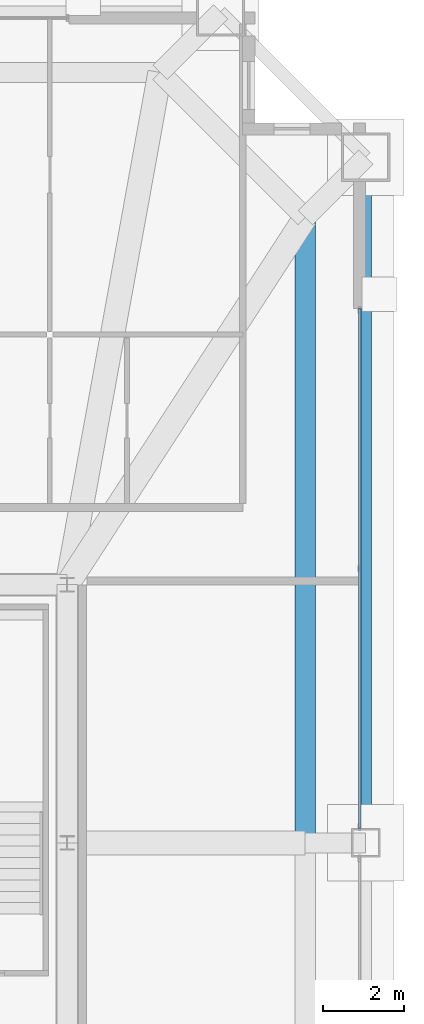
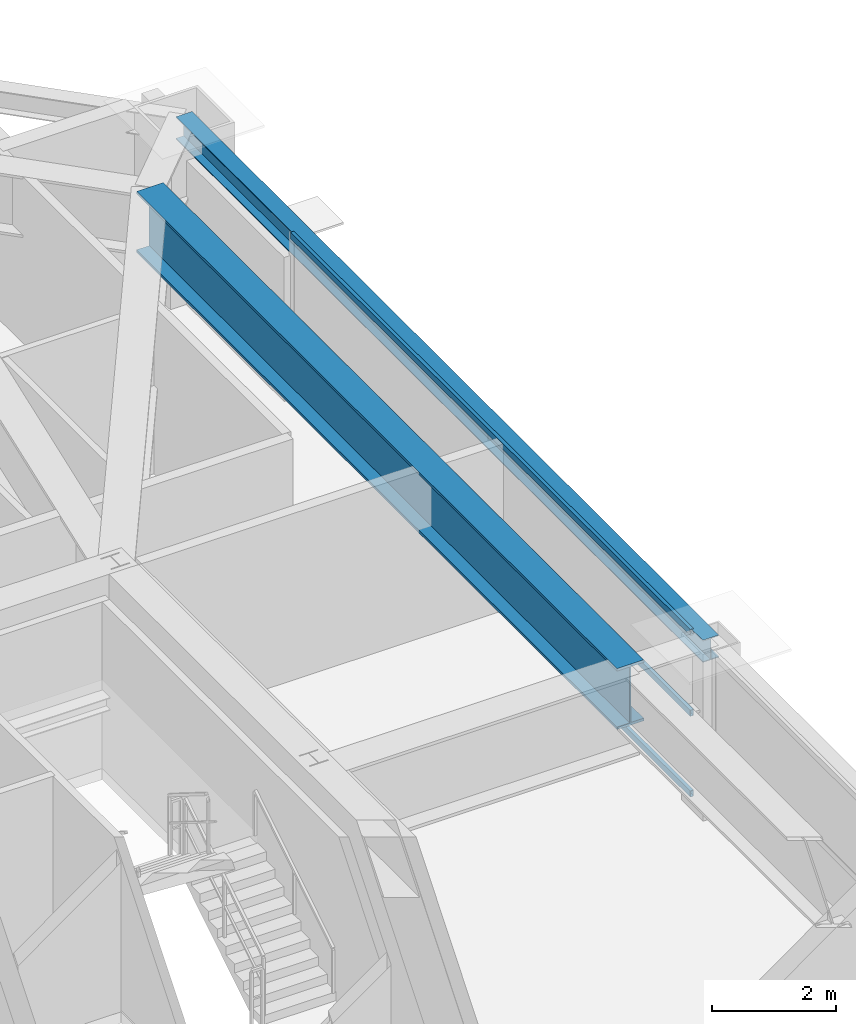
# One storey, part 19 of 33: 3 members, 2 beams, 1 element without a shape of its own.
"""IFC4 building model written with IfcOpenShell, lengths in metres."""

import ifcopenshell
import ifcopenshell.guid

model = None  # the IFC model being written
_history = None  # IfcOwnerHistory: only IFC2X3 demands one
_inside = {}  # id of a spatial element -> (the spatial element, [elements in it])
_under = {}  # id of a project, library or spatial element -> (it, [spatial elements below it])
_declared = {}  # id of a project -> (the project, [libraries it declares])
_typed = {}  # id of a type object -> (the type object, [elements of that type])
_made_of = {}  # id of a material, layer set ... -> (it, [elements and type objects made of it])


def new_model(schema):
    """Start an empty IFC model of exactly this schema.

    Asked for "IFC4X3", IfcOpenShell would pick the latest addendum, in which some entities
    have other attributes; the version numbers below select the first issue.
    IFC2X3 requires an IfcOwnerHistory on every rooted entity: one is made here for all.
    """
    global model, _history
    if schema == "IFC4X3":
        model = ifcopenshell.file(schema_version=(4, 3, 0, 0))
    else:
        model = ifcopenshell.file(schema=schema)
    _inside.clear()
    _under.clear()
    _declared.clear()
    _typed.clear()
    _made_of.clear()
    _history = None
    if model.schema == "IFC2X3":
        org = make("IfcOrganization", Name="unknown")
        user = make(
            "IfcPersonAndOrganization",
            ThePerson=make("IfcPerson", FamilyName="unknown"),
            TheOrganization=org,
        )
        app = make(
            "IfcApplication",
            ApplicationDeveloper=org,
            Version="unknown",
            ApplicationFullName="unknown",
            ApplicationIdentifier="unknown",
        )
        _history = make(
            "IfcOwnerHistory",
            OwningUser=user,
            OwningApplication=app,
            ChangeAction="ADDED",
            CreationDate=0,
        )
    return model


def make(cls, **values):
    """One entity of the class cls with the attributes given. An attribute that is None is left unset."""
    return model.create_entity(
        cls, **{name: value for name, value in values.items() if value is not None}
    )


def rooted(cls, **values):
    """An entity with a GlobalId (a new one), such as an element, a storey or a relation."""
    return make(cls, GlobalId=ifcopenshell.guid.new(), OwnerHistory=_history, **values)


def si_unit(unit_type, name, prefix=None):
    """IfcSIUnit, for example si_unit("LENGTHUNIT", "METRE", prefix="MILLI")."""
    return make("IfcSIUnit", UnitType=unit_type, Prefix=prefix, Name=name)


def assignment(units):
    """IfcUnitAssignment: the units of a project."""
    return None if units is None else make("IfcUnitAssignment", Units=units)


def point(xyz):
    """IfcCartesianPoint."""
    return None if xyz is None else make("IfcCartesianPoint", Coordinates=xyz)


def direction(xyz):
    """IfcDirection."""
    return None if xyz is None else make("IfcDirection", DirectionRatios=xyz)


def frame(location, z_axis=None, x_axis=None):
    """IfcAxis2Placement3D, a coordinate frame: its origin and axes. An axis left out is left unset."""
    return make(
        "IfcAxis2Placement3D",
        Location=point(location),
        Axis=direction(z_axis),
        RefDirection=direction(x_axis),
    )


def frame_2d(location, x_axis=None):
    """IfcAxis2Placement2D, a coordinate frame in the plane: its origin and x axis."""
    return make(
        "IfcAxis2Placement2D", Location=point(location), RefDirection=direction(x_axis)
    )


def origin():
    """The frame at (0, 0, 0) with its axes left unset."""
    return frame((0.0, 0.0, 0.0))


def origin_2d():
    """The frame at (0, 0) in the plane with its x axis left unset."""
    return frame_2d((0.0, 0.0))


def place(relative_to, where):
    """IfcLocalPlacement: puts the frame where relative to a parent placement (None: the world)."""
    return make(
        "IfcLocalPlacement", PlacementRelTo=relative_to, RelativePlacement=where
    )


def context(
    kind, dimensions, precision=None, world=None, true_north=None, identifier=None
):
    """IfcGeometricRepresentationContext, for example the 3D "Model" context."""
    return make(
        "IfcGeometricRepresentationContext",
        ContextIdentifier=identifier,
        ContextType=kind,
        CoordinateSpaceDimension=dimensions,
        Precision=precision,
        WorldCoordinateSystem=world,
        TrueNorth=true_north,
    )


def subcontext(parent, identifier, kind, view, scale=None):
    """IfcGeometricRepresentationSubContext, for example "Body" below "Model"."""
    return make(
        "IfcGeometricRepresentationSubContext",
        ContextIdentifier=identifier,
        ContextType=kind,
        ParentContext=parent,
        TargetScale=scale,
        TargetView=view,
    )


def project(units=None, contexts=None):
    """IfcProject with its units and contexts."""
    return rooted(
        "IfcProject",
        Name="project",
        RepresentationContexts=contexts,
        UnitsInContext=assignment(units),
    )


def spatial(cls, under=None, at=None, **own):
    """A site, building, storey or space (cls), placed at a placement, below another one or the project."""
    s = rooted(cls, ObjectPlacement=at, **own)
    if under is not None:
        _under.setdefault(under.id(), (under, []))[1].append(s)
    return s


def profile(cls, at=None, kind="AREA", **sizes):
    """A parametric profile (cls). Its sizes go by their IFC names, for example OverallWidth=200.0."""
    return make(cls, ProfileType=kind, Position=at, **sizes)


def hollow_rectangle(**sizes):
    """IfcRectangleHollowProfileDef."""
    return profile("IfcRectangleHollowProfileDef", **sizes)


def i_section(**sizes):
    """IfcIShapeProfileDef."""
    return profile("IfcIShapeProfileDef", **sizes)


def extrude(swept, where, along, depth):
    """IfcExtrudedAreaSolid: the profile swept, set in the frame where, extruded along a direction by depth."""
    return make(
        "IfcExtrudedAreaSolid",
        SweptArea=swept,
        Position=where,
        ExtrudedDirection=direction(along),
        Depth=depth,
    )


def shape(context_of_items, identifier, shape_type, items):
    """IfcShapeRepresentation: the items that make up one representation, for example the "Body"."""
    return make(
        "IfcShapeRepresentation",
        ContextOfItems=context_of_items,
        RepresentationIdentifier=identifier,
        RepresentationType=shape_type,
        Items=items,
    )


def source(mapping_origin, context_of_items, identifier, shape_type, items):
    """IfcRepresentationMap: a shape defined once, which mapped items show again and again."""
    return make(
        "IfcRepresentationMap",
        MappingOrigin=mapping_origin,
        MappedRepresentation=shape(context_of_items, identifier, shape_type, items),
    )


def transform(
    local_origin,
    x_axis=None,
    y_axis=None,
    z_axis=None,
    scale=None,
    scale2=None,
    scale3=None,
    uniform=True,
):
    """IfcCartesianTransformationOperator3D, or its non-uniform kind. x_axis, y_axis, z_axis: its Axis1, 2, 3."""
    if uniform:
        return make(
            "IfcCartesianTransformationOperator3D",
            Axis1=direction(x_axis),
            Axis2=direction(y_axis),
            LocalOrigin=point(local_origin),
            Scale=scale,
            Axis3=direction(z_axis),
        )
    return make(
        "IfcCartesianTransformationOperator3DnonUniform",
        Axis1=direction(x_axis),
        Axis2=direction(y_axis),
        LocalOrigin=point(local_origin),
        Scale=scale,
        Axis3=direction(z_axis),
        Scale2=scale2,
        Scale3=scale3,
    )


def mapped(mapping_source, mapping_target):
    """IfcMappedItem: shows the shape of a source again, moved by a transform."""
    return make(
        "IfcMappedItem", MappingSource=mapping_source, MappingTarget=mapping_target
    )


def material(Name=None, Category=None):
    """IfcMaterial."""
    return make("IfcMaterial", Name=Name, Category=Category)


def layer(
    of_material, thickness, ventilated=None, Name=None, Category=None, Priority=None
):
    """IfcMaterialLayer: one layer of a wall or slab, of a material (None: an air gap)."""
    return make(
        "IfcMaterialLayer",
        Material=of_material,
        LayerThickness=thickness,
        IsVentilated=ventilated,
        Name=Name,
        Category=Category,
        Priority=Priority,
    )


def layer_set(layers, Name=None):
    """IfcMaterialLayerSet."""
    return make("IfcMaterialLayerSet", MaterialLayers=layers, LayerSetName=Name)


def material_profile(
    of_material, cross_section, Name=None, Category=None, Priority=None
):
    """IfcMaterialProfile: a cross section and its material."""
    return make(
        "IfcMaterialProfile",
        Name=Name,
        Material=of_material,
        Profile=cross_section,
        Priority=Priority,
        Category=Category,
    )


def profile_set(profiles, Name=None, composite=None):
    """IfcMaterialProfileSet."""
    return make(
        "IfcMaterialProfileSet",
        Name=Name,
        MaterialProfiles=profiles,
        CompositeProfile=composite,
    )


def made_of(thing, what):
    """Note that an element or type object is made of a material, layer set ...; save() writes the relation."""
    if what is not None:
        _made_of.setdefault(what.id(), (what, []))[1].append(thing)
    return thing


def type_object(cls, material=None, **own):
    """A type object (cls), such as IfcWallType, which elements share."""
    return made_of(rooted(cls, **own), material)


def element(
    cls,
    number,
    at=None,
    inside=None,
    cuts=None,
    type_object=None,
    material=None,
    context=None,
    identifier="Body",
    shape_type=None,
    held_by="IfcProductDefinitionShape",
    body=None,
    shapes=None,
    **own,
):
    """One element of the class cls, such as IfcWall. Its Tag is "e" and its number.

    at: its placement. inside: the storey or other place that contains it. cuts: it is an
    opening in that element (IfcRelVoidsElement). A single representation is given by context,
    identifier, shape_type and body (its items); several are given by shapes. held_by: the class
    of the entity that holds the representations. save() writes the other relations.
    """
    e = rooted(cls, Tag="e%d" % number, ObjectPlacement=at, **own)
    if body is not None:
        shapes = [shape(context, identifier, shape_type, body)]
    if shapes is not None:
        e.Representation = make(held_by, Representations=shapes)
    if inside is not None:
        _inside.setdefault(inside.id(), (inside, []))[1].append(e)
    if cuts is not None:
        rooted(
            "IfcRelVoidsElement", RelatingBuildingElement=cuts, RelatedOpeningElement=e
        )
    if type_object is not None:
        _typed.setdefault(type_object.id(), (type_object, []))[1].append(e)
    return made_of(e, material)


def aggregate(whole, parts):
    """IfcRelAggregates: a whole, such as a stair, and the parts it consists of."""
    return rooted("IfcRelAggregates", RelatingObject=whole, RelatedObjects=parts)


def save(model, path):
    """Write the relations noted so far, then the file.

    IfcRelAggregates (storeys below a building ...), IfcRelContainedInSpatialStructure (elements
    in a storey), IfcRelDefinesByType, IfcRelAssociatesMaterial and IfcRelDeclares: one each for
    every whole, place, type object, material and project.
    """
    for whole, parts in _under.values():
        aggregate(whole, parts)
    for where, things in _inside.values():
        rooted(
            "IfcRelContainedInSpatialStructure",
            RelatedElements=things,
            RelatingStructure=where,
        )
    for kind, things in _typed.values():
        rooted("IfcRelDefinesByType", RelatedObjects=things, RelatingType=kind)
    for what, things in _made_of.values():
        rooted("IfcRelAssociatesMaterial", RelatedObjects=things, RelatingMaterial=what)
    for by, libraries in _declared.values():
        rooted("IfcRelDeclares", RelatingContext=by, RelatedDefinitions=libraries)
    model.write(path)


model = new_model("IFC4")

# Units and contexts
model_context = context("Model", 3, precision=1e-05, world=origin(), true_north=direction((0.0, 1.0)))
body_context = subcontext(model_context, "Body", "Model", "MODEL_VIEW")
ifc_project = project(units=[si_unit("LENGTHUNIT", "METRE"), si_unit("AREAUNIT", "SQUARE_METRE"), si_unit("VOLUMEUNIT", "CUBIC_METRE"), si_unit("PLANEANGLEUNIT", "RADIAN"), si_unit("MASSUNIT", "GRAM", prefix="KILO"), si_unit("THERMODYNAMICTEMPERATUREUNIT", "KELVIN"), si_unit("POWERUNIT", "WATT")], contexts=[model_context])

# Site, building, storey
site_placement = place(None, origin())
site = spatial("IfcSite", under=ifc_project, at=site_placement, CompositionType="ELEMENT")
building_placement = place(site_placement, origin())
building = spatial("IfcBuilding", under=site, at=building_placement, Name="Yuzanri Waterfront Tower", CompositionType="ELEMENT")
storey_placement = place(building_placement, frame((0.0, 0.0, 282.10009765625)))
storey = spatial("IfcBuildingStorey", under=building, at=storey_placement, Name="L75", CompositionType="ELEMENT", Elevation=282.10009765625)

# Beams
ifc_material_1 = material(Name="Steel Q355B", Category="steel")
ifc_material_profile_1 = material_profile(ifc_material_1, i_section(OverallWidth=0.300048828125, OverallDepth=0.43994140625, WebThickness=0.010986328125, FlangeThickness=0.01806640625, at=origin_2d()), Name="HM 440x300x11x18")
ifc_profile_set_1 = profile_set([ifc_material_profile_1], Name="Steel Q355B")
beam_type_1 = type_object("IfcBeamType", Name="Perimeter Spandrel Q355B HM 440x300", PredefinedType="SPANDREL", material=ifc_profile_set_1)
shared_shape_1 = source(origin(), body_context, "Body", "SweptSolid", [
    extrude(i_section(OverallWidth=0.300048828125, OverallDepth=0.43994140625, WebThickness=0.010986328125, FlangeThickness=0.01806640625, at=origin_2d()), origin(), (0.0, 0.0, 1.0), 17.0),
])
beam_1_placement = place(storey_placement, frame((57.60009765625, 25.800048828125, 3.059814453125), z_axis=(0.0, 1.0, 0.0), x_axis=(-1.0, 0.0, 0.0)))
element("IfcBeam", 1, at=beam_1_placement, inside=storey, type_object=beam_type_1, Name="L75 Perimeter Spandrel E2-E3", PredefinedType="SPANDREL", context=body_context, shape_type="MappedRepresentation", body=[
    mapped(shared_shape_1, transform((0.0, 0.0, 0.0), scale=1.0)),
])
ifc_material_2 = material(Name="Steel Q420GJC", Category="steel")
ifc_material_profile_2 = material_profile(ifc_material_2, i_section(OverallWidth=0.5, OverallDepth=1.199951171875, WebThickness=0.028076171875, FlangeThickness=0.050048828125, at=origin_2d()), Name="PG 1200x500x28x50")
ifc_profile_set_2 = profile_set([ifc_material_profile_2], Name="Steel Q420GJC")
beam_type_2 = type_object("IfcBeamType", Name="Setback Transfer Girder Q420GJC PG 1200x500", PredefinedType="USERDEFINED", material=ifc_profile_set_2)
shared_shape_2 = source(origin(), body_context, "Body", "SweptSolid", [
    extrude(i_section(OverallWidth=0.5, OverallDepth=1.199951171875, WebThickness=0.028076171875, FlangeThickness=0.050048828125, at=origin_2d()), origin(), (0.0, 0.0, 1.0), 15.5),
])
beam_2_placement = place(storey_placement, frame((56.10009765625, 25.800048828125, 2.679931640625), z_axis=(0.0, 1.0, 0.0), x_axis=(-1.0, 0.0, 0.0)))
element("IfcBeam", 2, at=beam_2_placement, inside=storey, type_object=beam_type_2, Name="L75 Setback Upper Ring E2-E3", ObjectType="GIRDER", PredefinedType="USERDEFINED", context=body_context, shape_type="MappedRepresentation", body=[
    mapped(shared_shape_2, transform((0.0, 0.0, 0.0), scale=1.0)),
])

# Curtain wall, members
ifc_material_3 = material(Name="Anodized Architectural Bronze", Category="metal")
ifc_layer = layer(ifc_material_3, 0.159912109375)
ifc_layer_set = layer_set([ifc_layer], Name="Anodized Architectural Bronze")
curtain_wall_type = type_object("IfcCurtainWallType", Name="Anodized Bronze Mid-Rise Residential Acoustic Unitized Curtain Wall 7200", PredefinedType="NOTDEFINED", material=ifc_layer_set)
curtain_wall_placement = place(storey_placement, origin())
curtain_wall = element("IfcCurtainWall", 3, at=curtain_wall_placement, inside=storey, type_object=curtain_wall_type, Name="L75 Curtain Wall CW-L75-ER", PredefinedType="NOTDEFINED")
ifc_material_4 = material(Name="Anodized Architectural Bronze", Category="metal")
ifc_material_profile_3 = material_profile(ifc_material_4, hollow_rectangle(XDim=0.06494140625, YDim=0.1201171875, WallThickness=0.00341796875, at=origin_2d()), Name="CWT 65x120")
ifc_profile_set_3 = profile_set([ifc_material_profile_3], Name="Anodized Architectural Bronze")
member_type = type_object("IfcMemberType", Name="Anodized Bronze Secondary Curtain-Wall Transom 65x120", PredefinedType="USERDEFINED", material=ifc_profile_set_3)
shared_shape_3 = source(origin(), body_context, "Body", "SweptSolid", [
    extrude(hollow_rectangle(XDim=0.06494140625, YDim=0.1201171875, WallThickness=0.00341796875, at=origin_2d()), origin(), (0.0, 0.0, 1.0), 12.900146484375),
])
member_1_placement = place(storey_placement, frame((57.449951171875, 26.14990234375, 0.0498046875), z_axis=(0.0, 1.0, 0.0), x_axis=(-1.0, 0.0, 0.0)))
member_1 = element("IfcMember", 4, at=member_1_placement, type_object=member_type, Name="CW-L75-ER Transom 1", ObjectType="TRANSOM", PredefinedType="USERDEFINED", context=body_context, shape_type="MappedRepresentation", body=[
    mapped(shared_shape_3, transform((0.0, 0.0, 0.0), scale=1.0)),
])
member_2_placement = place(storey_placement, frame((57.449951171875, 26.14990234375, 1.639892578125), z_axis=(0.0, 1.0, 0.0), x_axis=(-1.0, 0.0, 0.0)))
member_2 = element("IfcMember", 5, at=member_2_placement, type_object=member_type, Name="CW-L75-ER Transom 2", ObjectType="TRANSOM", PredefinedType="USERDEFINED", context=body_context, shape_type="MappedRepresentation", body=[
    mapped(shared_shape_3, transform((0.0, 0.0, 0.0), scale=1.0)),
])
member_3_placement = place(storey_placement, frame((57.449951171875, 26.14990234375, 3.22998046875), z_axis=(0.0, 1.0, 0.0), x_axis=(-1.0, 0.0, 0.0)))
member_3 = element("IfcMember", 6, at=member_3_placement, type_object=member_type, Name="CW-L75-ER Transom 3", ObjectType="TRANSOM", PredefinedType="USERDEFINED", context=body_context, shape_type="MappedRepresentation", body=[
    mapped(shared_shape_3, transform((0.0, 0.0, 0.0), scale=1.0)),
])
aggregate(curtain_wall, [member_1, member_2, member_3])

save(model, "model.ifc")
